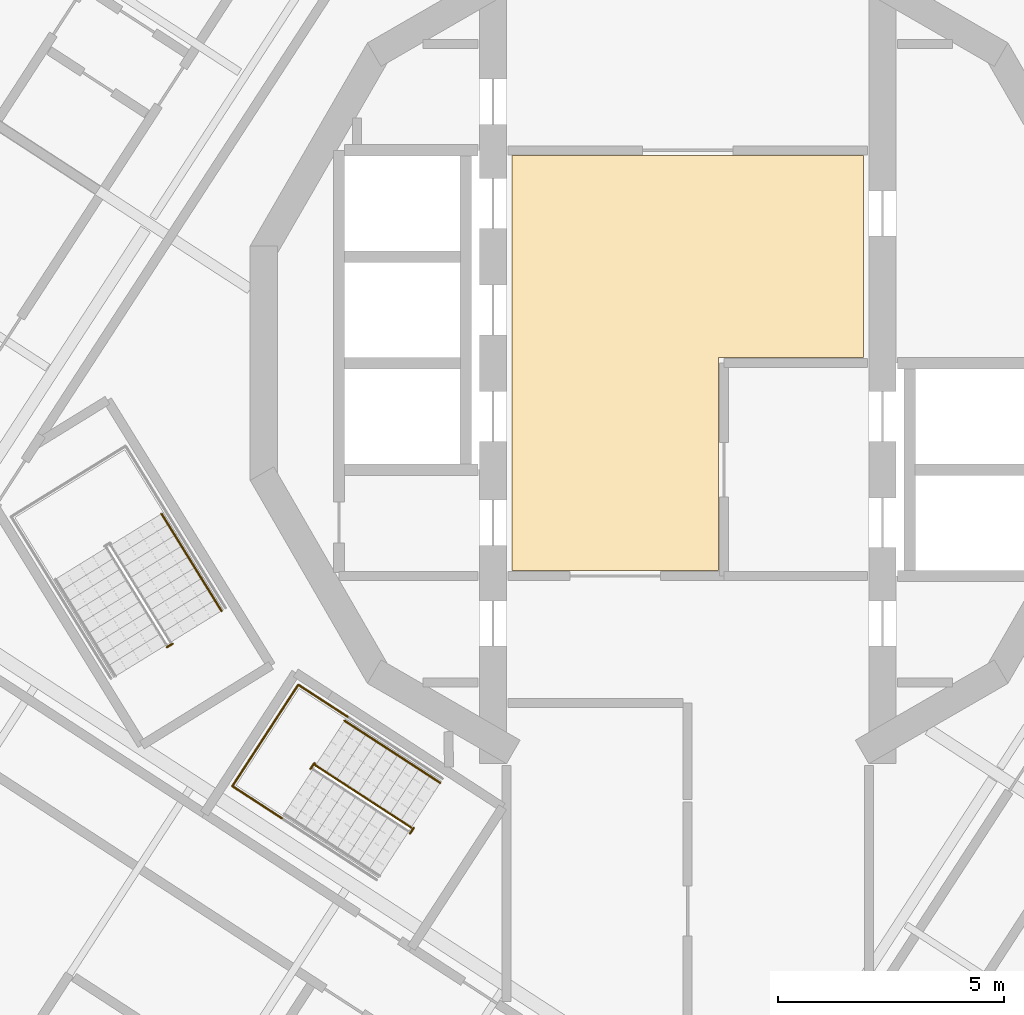
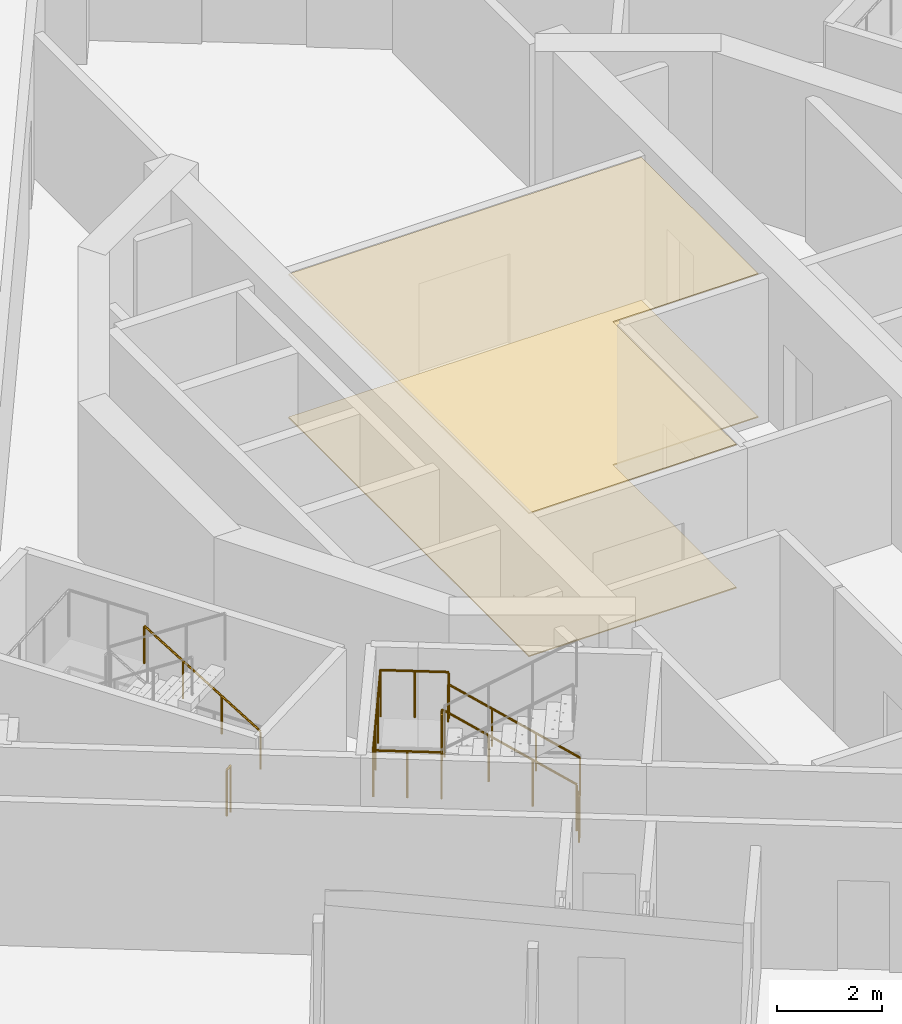
# One storey, part 14 of 17: 6 railings, 2 coverings.
"""IFC4 building model written with IfcOpenShell, lengths in metres."""

from ifc_helpers import new_model, si_unit, direction, frame, origin, origin_2d, place, context, subcontext, project, spatial, polyline, circle, outline, extrude, material, layer, layer_set, type_object, element, save


model = new_model("IFC4")

# Units and contexts
model_context = context("Model", 3, precision=1e-05, world=origin(), true_north=direction((0.0, 1.0)))
body_context = subcontext(model_context, "Body", "Model", "MODEL_VIEW")
ifc_project = project(units=[si_unit("LENGTHUNIT", "METRE"), si_unit("AREAUNIT", "SQUARE_METRE"), si_unit("VOLUMEUNIT", "CUBIC_METRE"), si_unit("PLANEANGLEUNIT", "RADIAN"), si_unit("MASSUNIT", "GRAM", prefix="KILO")], contexts=[model_context])

# Site, building, storey
site_placement = place(None, origin())
site = spatial("IfcSite", under=ifc_project, at=site_placement, CompositionType="ELEMENT")
building_placement = place(site_placement, origin())
building = spatial("IfcBuilding", under=site, at=building_placement, Name="Cantera Rosa Tower", CompositionType="ELEMENT")
storey_placement = place(building_placement, frame((0.0, 0.0, 264.89990234375)))
storey = spatial("IfcBuildingStorey", under=building, at=storey_placement, Name="L59", CompositionType="ELEMENT", Elevation=264.89990234375)

# Railings
ifc_material_1 = material(Name="Steel S355J2 (EN 10025-2)", Category="steel")
railing_type_1 = type_object("IfcRailingType", Name="STAIR GUARD 1100", PredefinedType="GUARDRAIL", material=ifc_material_1)
railing_1_placement = place(storey_placement, frame((-11.375, -6.19482421875, 0.0)))
element("IfcRailing", 1, at=railing_1_placement, inside=storey, type_object=railing_type_1, Name="L59 ST-52 stair guard 3", PredefinedType="GUARDRAIL", context=body_context, shape_type="SweptSolid", body=[
    extrude(circle(Radius=0.02392578125, at=origin_2d()), frame((0.0, 0.0, 1.076171875), z_axis=(-0.851546489876, -0.524279100842, 0.0), x_axis=(0.524279100842, -0.851546489876, 0.0)), (0.0, 0.0, 1.0), 0.14990234375),
    extrude(circle(Radius=0.02099609375, at=origin_2d()), origin(), (0.0, 0.0, 1.0), 1.052001953125),
    extrude(circle(Radius=0.02099609375, at=origin_2d()), frame((-0.127685546875, -0.07861328125, 0.0)), (0.0, 0.0, 1.0), 1.052001953125),
])
railing_2_placement = place(storey_placement, frame((-6.10400390625, -10.25341796875, 0.18017578125)))
element("IfcRailing", 2, at=railing_2_placement, inside=storey, type_object=railing_type_1, Name="L59 ST-53 stair guard 1", PredefinedType="GUARDRAIL", context=body_context, shape_type="SweptSolid", body=[
    extrude(circle(Radius=0.02392578125, at=origin_2d()), frame((0.0, 0.0, 1.076171875), z_axis=(-0.705493103535, 0.458158972863, 0.540712341684), x_axis=(-0.544644381691, -0.838667095749, 0.0)), (0.0, 0.0, 1.0), 2.995849609375),
    extrude(circle(Radius=0.02392578125, at=origin_2d()), frame((-2.113525390625, 1.37255859375, 2.69580078125), z_axis=(-0.49005532576, 0.871691331662, 0.0), x_axis=(-0.871691331662, -0.49005532576, 0.0)), (0.0, 0.0, 1.0), 0.056396484375),
    extrude(circle(Radius=0.02392578125, at=origin_2d()), frame((-2.14111328125, 1.421630859375, 2.69580078125), z_axis=(-0.545274379459, -0.838257628123, 0.0), x_axis=(0.838257628123, -0.545274379459, 0.0)), (0.0, 0.0, 1.0), 0.14990234375),
    extrude(circle(Radius=0.02099609375, at=origin_2d()), origin(), (0.0, 0.0, 1.0), 1.052001953125),
    extrude(circle(Radius=0.02099609375, at=origin_2d()), frame((-0.70458984375, 0.45751953125, 0.5400390625)), (0.0, 0.0, 1.0), 1.052001953125),
    extrude(circle(Radius=0.02099609375, at=origin_2d()), frame((-1.408935546875, 0.9150390625, 1.079833984375)), (0.0, 0.0, 1.0), 1.052001953125),
    extrude(circle(Radius=0.02099609375, at=origin_2d()), frame((-2.113525390625, 1.37255859375, 1.619873046875)), (0.0, 0.0, 1.0), 1.052001953125),
    extrude(circle(Radius=0.02099609375, at=origin_2d()), frame((-2.14111328125, 1.421630859375, 1.619873046875)), (0.0, 0.0, 1.0), 1.052001953125),
    extrude(circle(Radius=0.02099609375, at=origin_2d()), frame((-2.222900390625, 1.2958984375, 1.619873046875)), (0.0, 0.0, 1.0), 1.052001953125),
])
railing_3_placement = place(storey_placement, frame((-6.0478515625, -10.2587890625, 0.0)))
element("IfcRailing", 3, at=railing_3_placement, inside=storey, type_object=railing_type_1, Name="L59 ST-53 stair guard 3", PredefinedType="GUARDRAIL", context=body_context, shape_type="SweptSolid", body=[
    extrude(circle(Radius=0.02392578125, at=origin_2d()), frame((0.0, 0.0, 1.076171875), z_axis=(-0.545274379459, -0.838257628123, 0.0), x_axis=(0.838257628123, -0.545274379459, 0.0)), (0.0, 0.0, 1.0), 0.14990234375),
    extrude(circle(Radius=0.02099609375, at=origin_2d()), origin(), (0.0, 0.0, 1.0), 1.052001953125),
    extrude(circle(Radius=0.02099609375, at=origin_2d()), frame((-0.081787109375, -0.125732421875, 0.0)), (0.0, 0.0, 1.0), 1.052001953125),
])
railing_4_placement = place(storey_placement, frame((-7.507080078125, -7.808837890625, 1.800048828125)))
element("IfcRailing", 4, at=railing_4_placement, inside=storey, type_object=railing_type_1, Name="L59 ST-53 stair guard 5", PredefinedType="GUARDRAIL", context=body_context, shape_type="SweptSolid", body=[
    extrude(circle(Radius=0.02392578125, at=origin_2d()), frame((0.0, 0.0, 1.076171875), z_axis=(-0.838597818641, 0.544751042744, 0.0), x_axis=(-0.544751042744, -0.838597818641, 0.0)), (0.0, 0.0, 1.0), 1.302001953125),
    extrude(circle(Radius=0.02392578125, at=origin_2d()), frame((-1.091796875, 0.709228515625, 1.076171875), z_axis=(-0.544679779991, -0.838644106442, 0.0), x_axis=(0.838644106442, -0.544679779991, 0.0)), (0.0, 0.0, 1.0), 2.670166015625),
    extrude(circle(Radius=0.02392578125, at=origin_2d()), frame((-2.546142578125, -1.530029296875, 1.076171875), z_axis=(0.838653453326, -0.544665388311, 0.0), x_axis=(0.544665388311, 0.838653453326, 0.0)), (0.0, 0.0, 1.0), 1.30224609375),
    extrude(circle(Radius=0.02099609375, at=origin_2d()), origin(), (0.0, 0.0, 1.0), 1.052001953125),
    extrude(circle(Radius=0.02099609375, at=origin_2d()), frame((-0.5458984375, 0.3544921875, 0.0)), (0.0, 0.0, 1.0), 1.052001953125),
    extrude(circle(Radius=0.02099609375, at=origin_2d()), frame((-1.091796875, 0.709228515625, 0.0)), (0.0, 0.0, 1.0), 1.052001953125),
    extrude(circle(Radius=0.02099609375, at=origin_2d()), frame((-1.57666015625, -0.037109375, 0.0)), (0.0, 0.0, 1.0), 1.052001953125),
    extrude(circle(Radius=0.02099609375, at=origin_2d()), frame((-2.061279296875, -0.78369140625, 0.0)), (0.0, 0.0, 1.0), 1.052001953125),
    extrude(circle(Radius=0.02099609375, at=origin_2d()), frame((-2.546142578125, -1.530029296875, 0.0)), (0.0, 0.0, 1.0), 1.052001953125),
    extrude(circle(Radius=0.02099609375, at=origin_2d()), frame((-2.0, -1.884765625, 0.0)), (0.0, 0.0, 1.0), 1.052001953125),
    extrude(circle(Radius=0.02099609375, at=origin_2d()), frame((-1.4541015625, -2.2392578125, 0.0)), (0.0, 0.0, 1.0), 1.052001953125),
])
ifc_material_2 = material(Name="Steel S355J2 (EN 10025-2)", Category="steel")
railing_type_2 = type_object("IfcRailingType", Name="STAIR HANDRAIL 900", PredefinedType="HANDRAIL", material=ifc_material_2)
railing_5_placement = place(storey_placement, frame((-10.294677734375, -5.4697265625, 0.18017578125)))
element("IfcRailing", 5, at=railing_5_placement, inside=storey, type_object=railing_type_2, Name="L59 ST-52 stair handrail 1", PredefinedType="HANDRAIL", context=body_context, shape_type="SweptSolid", body=[
    extrude(circle(Radius=0.02392578125, at=origin_2d()), frame((0.0, 0.0, 0.8759765625), z_axis=(-0.441628529057, 0.715945124149, 0.540728047664), x_axis=(-0.851102330005, -0.524999832248, 0.0)), (0.0, 0.0, 1.0), 2.99560546875),
    extrude(circle(Radius=0.02099609375, at=origin_2d()), origin(), (0.0, 0.0, 1.0), 0.851806640625),
    extrude(circle(Radius=0.02099609375, at=origin_2d()), frame((-0.44091796875, 0.71484375, 0.5400390625)), (0.0, 0.0, 1.0), 0.851806640625),
    extrude(circle(Radius=0.02099609375, at=origin_2d()), frame((-0.882080078125, 1.429931640625, 1.079833984375)), (0.0, 0.0, 1.0), 0.851806640625),
    extrude(circle(Radius=0.02099609375, at=origin_2d()), frame((-1.322998046875, 2.144775390625, 1.619873046875)), (0.0, 0.0, 1.0), 0.851806640625),
])
railing_6_placement = place(storey_placement, frame((-5.463623046875, -9.26708984375, 0.18017578125)))
element("IfcRailing", 6, at=railing_6_placement, inside=storey, type_object=railing_type_2, Name="L59 ST-53 stair handrail 1", PredefinedType="HANDRAIL", context=body_context, shape_type="SweptSolid", body=[
    extrude(circle(Radius=0.02392578125, at=origin_2d()), frame((0.0, 0.0, 0.8759765625), z_axis=(-0.705452167267, 0.458185314739, 0.54074342997), x_axis=(-0.544688635705, -0.838638354795, 0.0)), (0.0, 0.0, 1.0), 2.99560546875),
    extrude(circle(Radius=0.02099609375, at=origin_2d()), origin(), (0.0, 0.0, 1.0), 0.851806640625),
    extrude(circle(Radius=0.02099609375, at=origin_2d()), frame((-0.704345703125, 0.45751953125, 0.5400390625)), (0.0, 0.0, 1.0), 0.851806640625),
    extrude(circle(Radius=0.02099609375, at=origin_2d()), frame((-1.408935546875, 0.9150390625, 1.079833984375)), (0.0, 0.0, 1.0), 0.851806640625),
    extrude(circle(Radius=0.02099609375, at=origin_2d()), frame((-2.11328125, 1.37255859375, 1.619873046875)), (0.0, 0.0, 1.0), 0.851806640625),
])

# Coverings
ifc_material_3 = material(Name="Limestone paving", Category="masonry")
ifc_layer_1 = layer(ifc_material_3, 0.02490234375)
ifc_layer_set_1 = layer_set([ifc_layer_1], Name="STONE FLOOR FINISH 25")
covering_type_1 = type_object("IfcCoveringType", Name="STONE FLOOR FINISH 25", PredefinedType="FLOORING", material=ifc_layer_set_1)
covering_1_placement = place(storey_placement, origin())
element("IfcCovering", 7, at=covering_1_placement, inside=storey, type_object=covering_type_1, Name="STONE FLOOR FINISH L59", PredefinedType="FLOORING", context=body_context, shape_type="SweptSolid", body=[
    extrude(outline(polyline([(3.8798828125, 4.580078125), (3.8798828125, 0.1201171875), (0.679931640625, 0.1201171875), (0.679931640625, -4.580078125), (-3.8798828125, -4.580078125), (-3.8798828125, 4.580078125), (3.8798828125, 4.580078125)])), origin(), (0.0, 0.0, 1.0), 0.025146484375),
])
ifc_material_4 = material(Name="Gypsum ceiling tile")
ifc_layer_2 = layer(ifc_material_4, 0.030029296875)
ifc_layer_set_2 = layer_set([ifc_layer_2], Name="SUSPENDED CEILING 30")
covering_type_2 = type_object("IfcCoveringType", Name="SUSPENDED CEILING 30", PredefinedType="CEILING", material=ifc_layer_set_2)
covering_2_placement = place(storey_placement, frame((0.0, 0.0, 3.320068359375)))
element("IfcCovering", 8, at=covering_2_placement, inside=storey, type_object=covering_type_2, Name="SUSPENDED CEILING L59", PredefinedType="CEILING", context=body_context, shape_type="SweptSolid", body=[
    extrude(outline(polyline([(3.8798828125, 4.580078125), (3.8798828125, 0.1201171875), (0.679931640625, 0.1201171875), (0.679931640625, -4.580078125), (-3.8798828125, -4.580078125), (-3.8798828125, 4.580078125), (3.8798828125, 4.580078125)])), origin(), (0.0, 0.0, 1.0), 0.030029296875),
])

save(model, "model.ifc")
